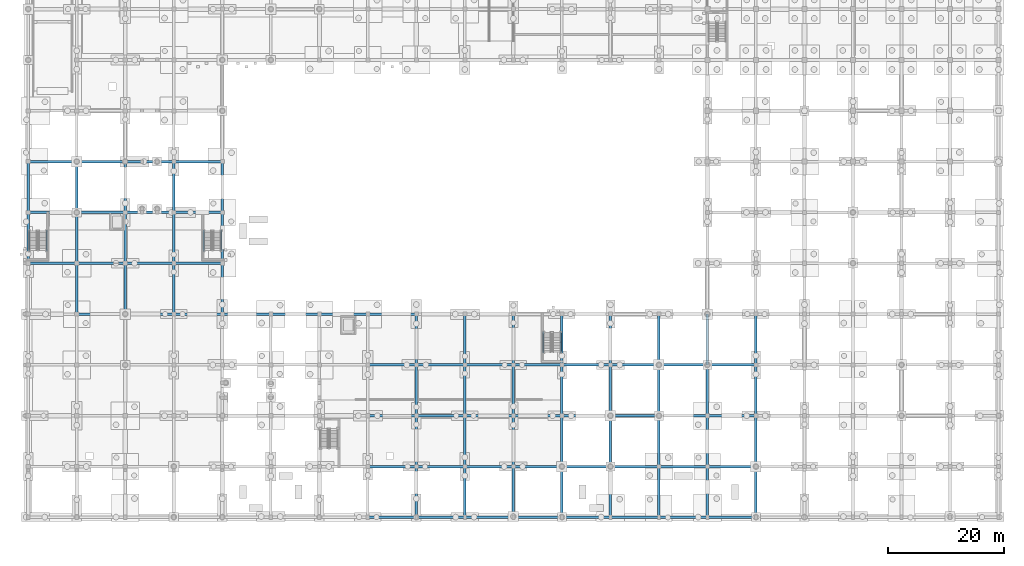
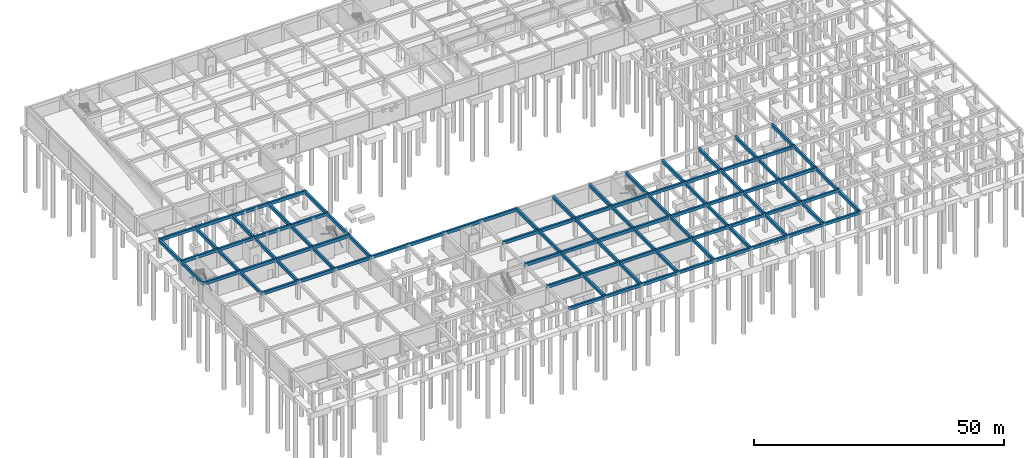
# One storey, part 15 of 41: 97 beams, 6 members.
"""IFC4 building model written with IfcOpenShell, lengths in metres."""

from ifc_helpers import new_model, si_unit, direction, frame, origin, origin_2d, place, context, subcontext, project, spatial, rectangle, hollow_rectangle, extrude, material, material_profile, profile_set, type_object, element, save


model = new_model("IFC4")

# Units and contexts
model_context = context("Model", 3, precision=1e-05, world=origin(), true_north=direction((0.0, 1.0)))
body_context = subcontext(model_context, "Body", "Model", "MODEL_VIEW")
ifc_project = project(units=[si_unit("LENGTHUNIT", "METRE"), si_unit("AREAUNIT", "SQUARE_METRE"), si_unit("VOLUMEUNIT", "CUBIC_METRE"), si_unit("PLANEANGLEUNIT", "RADIAN"), si_unit("MASSUNIT", "GRAM", prefix="KILO")], contexts=[model_context])

# Site, building, storey
site_placement = place(None, origin())
site = spatial("IfcSite", under=ifc_project, at=site_placement, CompositionType="ELEMENT")
building_placement = place(site_placement, origin())
building = spatial("IfcBuilding", under=site, at=building_placement, Name="Kemercrest Conservatory and Botanical Centre", CompositionType="ELEMENT")
storey_placement = place(building_placement, frame((0.0, 0.0, -4.5)))
storey = spatial("IfcBuildingStorey", under=building, at=storey_placement, Name="B1", CompositionType="ELEMENT", Elevation=-4.5)

# Beams
ifc_material_1 = material(Name="Concrete C40/50", Category="concrete")
ifc_material_profile_1 = material_profile(ifc_material_1, rectangle(XDim=0.449951171875, YDim=0.75, at=origin_2d()), Name="RC 450x750")
ifc_profile_set_1 = profile_set([ifc_material_profile_1], Name="Concrete C40/50")
beam_type = type_object("IfcBeamType", Name="BM-RC75", PredefinedType="BEAM", material=ifc_profile_set_1)
beam_1_placement = place(storey_placement, frame((66.800048828125, 8.0, 4.125), z_axis=(1.0, 0.0, 0.0), x_axis=(0.0, 1.0, 0.0)))
element("IfcBeam", 1, at=beam_1_placement, inside=storey, type_object=beam_type, Name="B1 girder 08-09 on A", PredefinedType="BEAM", context=body_context, shape_type="SweptSolid", body=[
    extrude(rectangle(XDim=0.449951171875, YDim=0.75, at=origin_2d()), origin(), (0.0, 0.0, 1.0), 8.39990234375),
])
beam_2_placement = place(storey_placement, frame((75.199951171875, 8.0, 4.125), z_axis=(1.0, 0.0, 0.0), x_axis=(0.0, 1.0, 0.0)))
element("IfcBeam", 2, at=beam_2_placement, inside=storey, type_object=beam_type, Name="B1 girder 09-10 on A", PredefinedType="BEAM", context=body_context, shape_type="SweptSolid", body=[
    extrude(rectangle(XDim=0.449951171875, YDim=0.75, at=origin_2d()), origin(), (0.0, 0.0, 1.0), 8.400146484375),
])
for number, where, z_axis, x_axis, name in (
    (3, (83.60009765625, 8.0, 4.125), (1.0, 0.0, 0.0), (0.0, 1.0, 0.0), "B1 girder 10-11 on A"),
    (4, (92.0, 8.0, 4.125), (1.0, 0.0, 0.0), (0.0, 1.0, 0.0), "B1 girder 11-12 on A"),
):
    element("IfcBeam", number, at=place(storey_placement, frame(where, z_axis=z_axis, x_axis=x_axis)), inside=storey, type_object=beam_type, Name=name, PredefinedType="BEAM", context=body_context, shape_type="SweptSolid", body=[
        extrude(rectangle(XDim=0.449951171875, YDim=0.75, at=origin_2d()), origin(), (0.0, 0.0, 1.0), 8.39990234375),
    ])
beam_3_placement = place(storey_placement, frame((100.39990234375, 8.0, 4.125), z_axis=(1.0, 0.0, 0.0), x_axis=(0.0, 1.0, 0.0)))
element("IfcBeam", 5, at=beam_3_placement, inside=storey, type_object=beam_type, Name="B1 girder 12-13 on A", PredefinedType="BEAM", context=body_context, shape_type="SweptSolid", body=[
    extrude(rectangle(XDim=0.449951171875, YDim=0.75, at=origin_2d()), origin(), (0.0, 0.0, 1.0), 8.400146484375),
])
beam_4_placement = place(storey_placement, frame((108.800048828125, 8.0, 4.125), z_axis=(1.0, 0.0, 0.0), x_axis=(0.0, 1.0, 0.0)))
element("IfcBeam", 6, at=beam_4_placement, inside=storey, type_object=beam_type, Name="B1 girder 13-14 on A", PredefinedType="BEAM", context=body_context, shape_type="SweptSolid", body=[
    extrude(rectangle(XDim=0.449951171875, YDim=0.75, at=origin_2d()), origin(), (0.0, 0.0, 1.0), 8.39990234375),
])
beam_5_placement = place(storey_placement, frame((117.199951171875, 8.0, 4.125), z_axis=(1.0, 0.0, 0.0), x_axis=(0.0, 1.0, 0.0)))
element("IfcBeam", 7, at=beam_5_placement, inside=storey, type_object=beam_type, Name="B1 girder 14-15 on A", PredefinedType="BEAM", context=body_context, shape_type="SweptSolid", body=[
    extrude(rectangle(XDim=0.449951171875, YDim=0.75, at=origin_2d()), origin(), (0.0, 0.0, 1.0), 8.400146484375),
])
for number, where, z_axis, x_axis, name in (
    (8, (125.60009765625, 8.0, 4.125), (1.0, 0.0, 0.0), (0.0, 1.0, 0.0), "B1 girder 15-16 on A"),
    (9, (66.800048828125, 16.800048828125, 4.125), (1.0, 0.0, 0.0), (0.0, 1.0, 0.0), "B1 girder 08-09 on B"),
):
    element("IfcBeam", number, at=place(storey_placement, frame(where, z_axis=z_axis, x_axis=x_axis)), inside=storey, type_object=beam_type, Name=name, PredefinedType="BEAM", context=body_context, shape_type="SweptSolid", body=[
        extrude(rectangle(XDim=0.449951171875, YDim=0.75, at=origin_2d()), origin(), (0.0, 0.0, 1.0), 8.39990234375),
    ])
beam_6_placement = place(storey_placement, frame((75.199951171875, 16.800048828125, 4.125), z_axis=(1.0, 0.0, 0.0), x_axis=(0.0, 1.0, 0.0)))
element("IfcBeam", 10, at=beam_6_placement, inside=storey, type_object=beam_type, Name="B1 girder 09-10 on B", PredefinedType="BEAM", context=body_context, shape_type="SweptSolid", body=[
    extrude(rectangle(XDim=0.449951171875, YDim=0.75, at=origin_2d()), origin(), (0.0, 0.0, 1.0), 8.400146484375),
])
for number, where, z_axis, x_axis, name in (
    (11, (83.60009765625, 16.800048828125, 4.125), (1.0, 0.0, 0.0), (0.0, 1.0, 0.0), "B1 girder 10-11 on B"),
    (12, (92.0, 16.800048828125, 4.125), (1.0, 0.0, 0.0), (0.0, 1.0, 0.0), "B1 girder 11-12 on B"),
):
    element("IfcBeam", number, at=place(storey_placement, frame(where, z_axis=z_axis, x_axis=x_axis)), inside=storey, type_object=beam_type, Name=name, PredefinedType="BEAM", context=body_context, shape_type="SweptSolid", body=[
        extrude(rectangle(XDim=0.449951171875, YDim=0.75, at=origin_2d()), origin(), (0.0, 0.0, 1.0), 8.39990234375),
    ])
beam_7_placement = place(storey_placement, frame((100.39990234375, 16.800048828125, 4.125), z_axis=(1.0, 0.0, 0.0), x_axis=(0.0, 1.0, 0.0)))
element("IfcBeam", 13, at=beam_7_placement, inside=storey, type_object=beam_type, Name="B1 girder 12-13 on B", PredefinedType="BEAM", context=body_context, shape_type="SweptSolid", body=[
    extrude(rectangle(XDim=0.449951171875, YDim=0.75, at=origin_2d()), origin(), (0.0, 0.0, 1.0), 8.400146484375),
])
beam_8_placement = place(storey_placement, frame((108.800048828125, 16.800048828125, 4.125), z_axis=(1.0, 0.0, 0.0), x_axis=(0.0, 1.0, 0.0)))
element("IfcBeam", 14, at=beam_8_placement, inside=storey, type_object=beam_type, Name="B1 girder 13-14 on B", PredefinedType="BEAM", context=body_context, shape_type="SweptSolid", body=[
    extrude(rectangle(XDim=0.449951171875, YDim=0.75, at=origin_2d()), origin(), (0.0, 0.0, 1.0), 8.39990234375),
])
beam_9_placement = place(storey_placement, frame((117.199951171875, 16.800048828125, 4.125), z_axis=(1.0, 0.0, 0.0), x_axis=(0.0, 1.0, 0.0)))
element("IfcBeam", 15, at=beam_9_placement, inside=storey, type_object=beam_type, Name="B1 girder 14-15 on B", PredefinedType="BEAM", context=body_context, shape_type="SweptSolid", body=[
    extrude(rectangle(XDim=0.449951171875, YDim=0.75, at=origin_2d()), origin(), (0.0, 0.0, 1.0), 8.400146484375),
])
for number, where, z_axis, x_axis, name in (
    (16, (125.60009765625, 16.800048828125, 4.125), (1.0, 0.0, 0.0), (0.0, 1.0, 0.0), "B1 girder 15-16 on B"),
    (17, (66.800048828125, 25.60009765625, 4.125), (1.0, 0.0, 0.0), (0.0, 1.0, 0.0), "B1 girder 08-09 on C"),
):
    element("IfcBeam", number, at=place(storey_placement, frame(where, z_axis=z_axis, x_axis=x_axis)), inside=storey, type_object=beam_type, Name=name, PredefinedType="BEAM", context=body_context, shape_type="SweptSolid", body=[
        extrude(rectangle(XDim=0.449951171875, YDim=0.75, at=origin_2d()), origin(), (0.0, 0.0, 1.0), 8.39990234375),
    ])
beam_10_placement = place(storey_placement, frame((75.199951171875, 25.60009765625, 4.125), z_axis=(1.0, 0.0, 0.0), x_axis=(0.0, 1.0, 0.0)))
element("IfcBeam", 18, at=beam_10_placement, inside=storey, type_object=beam_type, Name="B1 girder 09-10 on C", PredefinedType="BEAM", context=body_context, shape_type="SweptSolid", body=[
    extrude(rectangle(XDim=0.449951171875, YDim=0.75, at=origin_2d()), origin(), (0.0, 0.0, 1.0), 8.400146484375),
])
for number, where, z_axis, x_axis, name in (
    (19, (83.60009765625, 25.60009765625, 4.125), (1.0, 0.0, 0.0), (0.0, 1.0, 0.0), "B1 girder 10-11 on C"),
    (20, (92.0, 25.60009765625, 4.125), (1.0, 0.0, 0.0), (0.0, 1.0, 0.0), "B1 girder 11-12 on C"),
):
    element("IfcBeam", number, at=place(storey_placement, frame(where, z_axis=z_axis, x_axis=x_axis)), inside=storey, type_object=beam_type, Name=name, PredefinedType="BEAM", context=body_context, shape_type="SweptSolid", body=[
        extrude(rectangle(XDim=0.449951171875, YDim=0.75, at=origin_2d()), origin(), (0.0, 0.0, 1.0), 8.39990234375),
    ])
beam_11_placement = place(storey_placement, frame((100.39990234375, 25.60009765625, 4.125), z_axis=(1.0, 0.0, 0.0), x_axis=(0.0, 1.0, 0.0)))
element("IfcBeam", 21, at=beam_11_placement, inside=storey, type_object=beam_type, Name="B1 girder 12-13 on C", PredefinedType="BEAM", context=body_context, shape_type="SweptSolid", body=[
    extrude(rectangle(XDim=0.449951171875, YDim=0.75, at=origin_2d()), origin(), (0.0, 0.0, 1.0), 8.400146484375),
])
beam_12_placement = place(storey_placement, frame((108.800048828125, 25.60009765625, 4.125), z_axis=(1.0, 0.0, 0.0), x_axis=(0.0, 1.0, 0.0)))
element("IfcBeam", 22, at=beam_12_placement, inside=storey, type_object=beam_type, Name="B1 girder 13-14 on C", PredefinedType="BEAM", context=body_context, shape_type="SweptSolid", body=[
    extrude(rectangle(XDim=0.449951171875, YDim=0.75, at=origin_2d()), origin(), (0.0, 0.0, 1.0), 8.39990234375),
])
beam_13_placement = place(storey_placement, frame((117.199951171875, 25.60009765625, 4.125), z_axis=(1.0, 0.0, 0.0), x_axis=(0.0, 1.0, 0.0)))
element("IfcBeam", 23, at=beam_13_placement, inside=storey, type_object=beam_type, Name="B1 girder 14-15 on C", PredefinedType="BEAM", context=body_context, shape_type="SweptSolid", body=[
    extrude(rectangle(XDim=0.449951171875, YDim=0.75, at=origin_2d()), origin(), (0.0, 0.0, 1.0), 8.400146484375),
])
for number, where, z_axis, x_axis, name in (
    (24, (125.60009765625, 25.60009765625, 4.125), (1.0, 0.0, 0.0), (0.0, 1.0, 0.0), "B1 girder 15-16 on C"),
    (25, (66.800048828125, 34.39990234375, 4.125), (1.0, 0.0, 0.0), (0.0, 1.0, 0.0), "B1 girder 08-09 on D"),
):
    element("IfcBeam", number, at=place(storey_placement, frame(where, z_axis=z_axis, x_axis=x_axis)), inside=storey, type_object=beam_type, Name=name, PredefinedType="BEAM", context=body_context, shape_type="SweptSolid", body=[
        extrude(rectangle(XDim=0.449951171875, YDim=0.75, at=origin_2d()), origin(), (0.0, 0.0, 1.0), 8.39990234375),
    ])
beam_14_placement = place(storey_placement, frame((75.199951171875, 34.39990234375, 4.125), z_axis=(1.0, 0.0, 0.0), x_axis=(0.0, 1.0, 0.0)))
element("IfcBeam", 26, at=beam_14_placement, inside=storey, type_object=beam_type, Name="B1 girder 09-10 on D", PredefinedType="BEAM", context=body_context, shape_type="SweptSolid", body=[
    extrude(rectangle(XDim=0.449951171875, YDim=0.75, at=origin_2d()), origin(), (0.0, 0.0, 1.0), 8.400146484375),
])
for number, where, z_axis, x_axis, name in (
    (27, (83.60009765625, 34.39990234375, 4.125), (1.0, 0.0, 0.0), (0.0, 1.0, 0.0), "B1 girder 10-11 on D"),
    (28, (92.0, 34.39990234375, 4.125), (1.0, 0.0, 0.0), (0.0, 1.0, 0.0), "B1 girder 11-12 on D"),
):
    element("IfcBeam", number, at=place(storey_placement, frame(where, z_axis=z_axis, x_axis=x_axis)), inside=storey, type_object=beam_type, Name=name, PredefinedType="BEAM", context=body_context, shape_type="SweptSolid", body=[
        extrude(rectangle(XDim=0.449951171875, YDim=0.75, at=origin_2d()), origin(), (0.0, 0.0, 1.0), 8.39990234375),
    ])
beam_15_placement = place(storey_placement, frame((100.39990234375, 34.39990234375, 4.125), z_axis=(1.0, 0.0, 0.0), x_axis=(0.0, 1.0, 0.0)))
element("IfcBeam", 29, at=beam_15_placement, inside=storey, type_object=beam_type, Name="B1 girder 12-13 on D", PredefinedType="BEAM", context=body_context, shape_type="SweptSolid", body=[
    extrude(rectangle(XDim=0.449951171875, YDim=0.75, at=origin_2d()), origin(), (0.0, 0.0, 1.0), 8.400146484375),
])
beam_16_placement = place(storey_placement, frame((108.800048828125, 34.39990234375, 4.125), z_axis=(1.0, 0.0, 0.0), x_axis=(0.0, 1.0, 0.0)))
element("IfcBeam", 30, at=beam_16_placement, inside=storey, type_object=beam_type, Name="B1 girder 13-14 on D", PredefinedType="BEAM", context=body_context, shape_type="SweptSolid", body=[
    extrude(rectangle(XDim=0.449951171875, YDim=0.75, at=origin_2d()), origin(), (0.0, 0.0, 1.0), 8.39990234375),
])
beam_17_placement = place(storey_placement, frame((117.199951171875, 34.39990234375, 4.125), z_axis=(1.0, 0.0, 0.0), x_axis=(0.0, 1.0, 0.0)))
element("IfcBeam", 31, at=beam_17_placement, inside=storey, type_object=beam_type, Name="B1 girder 14-15 on D", PredefinedType="BEAM", context=body_context, shape_type="SweptSolid", body=[
    extrude(rectangle(XDim=0.449951171875, YDim=0.75, at=origin_2d()), origin(), (0.0, 0.0, 1.0), 8.400146484375),
])
beam_18_placement = place(storey_placement, frame((125.60009765625, 34.39990234375, 4.125), z_axis=(1.0, 0.0, 0.0), x_axis=(0.0, 1.0, 0.0)))
element("IfcBeam", 32, at=beam_18_placement, inside=storey, type_object=beam_type, Name="B1 girder 15-16 on D", PredefinedType="BEAM", context=body_context, shape_type="SweptSolid", body=[
    extrude(rectangle(XDim=0.449951171875, YDim=0.75, at=origin_2d()), origin(), (0.0, 0.0, 1.0), 8.39990234375),
])
beam_19_placement = place(storey_placement, frame((16.39990234375, 43.199951171875, 4.125), z_axis=(1.0, 0.0, 0.0), x_axis=(0.0, 1.0, 0.0)))
element("IfcBeam", 33, at=beam_19_placement, inside=storey, type_object=beam_type, Name="B1 girder 02-03 on E", PredefinedType="BEAM", context=body_context, shape_type="SweptSolid", body=[
    extrude(rectangle(XDim=0.449951171875, YDim=0.75, at=origin_2d()), origin(), (0.0, 0.0, 1.0), 8.400146484375),
])
beam_20_placement = place(storey_placement, frame((24.800048828125, 43.199951171875, 4.125), z_axis=(1.0, 0.0, 0.0), x_axis=(0.0, 1.0, 0.0)))
element("IfcBeam", 34, at=beam_20_placement, inside=storey, type_object=beam_type, Name="B1 girder 03-04 on E", PredefinedType="BEAM", context=body_context, shape_type="SweptSolid", body=[
    extrude(rectangle(XDim=0.449951171875, YDim=0.75, at=origin_2d()), origin(), (0.0, 0.0, 1.0), 8.39990234375),
])
beam_21_placement = place(storey_placement, frame((33.199951171875, 43.199951171875, 4.125), z_axis=(1.0, 0.0, 0.0), x_axis=(0.0, 1.0, 0.0)))
element("IfcBeam", 35, at=beam_21_placement, inside=storey, type_object=beam_type, Name="B1 girder 04-05 on E", PredefinedType="BEAM", context=body_context, shape_type="SweptSolid", body=[
    extrude(rectangle(XDim=0.449951171875, YDim=0.75, at=origin_2d()), origin(), (0.0, 0.0, 1.0), 8.400146484375),
])
for number, where, z_axis, x_axis, name in (
    (36, (41.60009765625, 43.199951171875, 4.125), (1.0, 0.0, 0.0), (0.0, 1.0, 0.0), "B1 girder 05-06 on E"),
    (37, (50.0, 43.199951171875, 4.125), (1.0, 0.0, 0.0), (0.0, 1.0, 0.0), "B1 girder 06-07 on E"),
):
    element("IfcBeam", number, at=place(storey_placement, frame(where, z_axis=z_axis, x_axis=x_axis)), inside=storey, type_object=beam_type, Name=name, PredefinedType="BEAM", context=body_context, shape_type="SweptSolid", body=[
        extrude(rectangle(XDim=0.449951171875, YDim=0.75, at=origin_2d()), origin(), (0.0, 0.0, 1.0), 8.39990234375),
    ])
beam_22_placement = place(storey_placement, frame((58.39990234375, 43.199951171875, 4.125), z_axis=(1.0, 0.0, 0.0), x_axis=(0.0, 1.0, 0.0)))
element("IfcBeam", 38, at=beam_22_placement, inside=storey, type_object=beam_type, Name="B1 girder 07-08 on E", PredefinedType="BEAM", context=body_context, shape_type="SweptSolid", body=[
    extrude(rectangle(XDim=0.449951171875, YDim=0.75, at=origin_2d()), origin(), (0.0, 0.0, 1.0), 8.400146484375),
])
for number, where, z_axis, x_axis, name in (
    (39, (66.800048828125, 43.199951171875, 4.125), (1.0, 0.0, 0.0), (0.0, 1.0, 0.0), "B1 girder 08-09 on E"),
    (40, (8.0, 52.0, 4.125), (1.0, 0.0, 0.0), (0.0, 1.0, 0.0), "B1 girder 01-02 on F"),
):
    element("IfcBeam", number, at=place(storey_placement, frame(where, z_axis=z_axis, x_axis=x_axis)), inside=storey, type_object=beam_type, Name=name, PredefinedType="BEAM", context=body_context, shape_type="SweptSolid", body=[
        extrude(rectangle(XDim=0.449951171875, YDim=0.75, at=origin_2d()), origin(), (0.0, 0.0, 1.0), 8.39990234375),
    ])
beam_23_placement = place(storey_placement, frame((16.39990234375, 52.0, 4.125), z_axis=(1.0, 0.0, 0.0), x_axis=(0.0, 1.0, 0.0)))
element("IfcBeam", 41, at=beam_23_placement, inside=storey, type_object=beam_type, Name="B1 girder 02-03 on F", PredefinedType="BEAM", context=body_context, shape_type="SweptSolid", body=[
    extrude(rectangle(XDim=0.449951171875, YDim=0.75, at=origin_2d()), origin(), (0.0, 0.0, 1.0), 8.400146484375),
])
beam_24_placement = place(storey_placement, frame((24.800048828125, 52.0, 4.125), z_axis=(1.0, 0.0, 0.0), x_axis=(0.0, 1.0, 0.0)))
element("IfcBeam", 42, at=beam_24_placement, inside=storey, type_object=beam_type, Name="B1 girder 03-04 on F", PredefinedType="BEAM", context=body_context, shape_type="SweptSolid", body=[
    extrude(rectangle(XDim=0.449951171875, YDim=0.75, at=origin_2d()), origin(), (0.0, 0.0, 1.0), 8.39990234375),
])
beam_25_placement = place(storey_placement, frame((33.199951171875, 52.0, 4.125), z_axis=(1.0, 0.0, 0.0), x_axis=(0.0, 1.0, 0.0)))
element("IfcBeam", 43, at=beam_25_placement, inside=storey, type_object=beam_type, Name="B1 girder 04-05 on F", PredefinedType="BEAM", context=body_context, shape_type="SweptSolid", body=[
    extrude(rectangle(XDim=0.449951171875, YDim=0.75, at=origin_2d()), origin(), (0.0, 0.0, 1.0), 8.400146484375),
])
beam_26_placement = place(storey_placement, frame((8.0, 60.800048828125, 4.125), z_axis=(1.0, 0.0, 0.0), x_axis=(0.0, 1.0, 0.0)))
element("IfcBeam", 44, at=beam_26_placement, inside=storey, type_object=beam_type, Name="B1 girder 01-02 on G", PredefinedType="BEAM", context=body_context, shape_type="SweptSolid", body=[
    extrude(rectangle(XDim=0.449951171875, YDim=0.75, at=origin_2d()), origin(), (0.0, 0.0, 1.0), 8.39990234375),
])
beam_27_placement = place(storey_placement, frame((16.39990234375, 60.800048828125, 4.125), z_axis=(1.0, 0.0, 0.0), x_axis=(0.0, 1.0, 0.0)))
element("IfcBeam", 45, at=beam_27_placement, inside=storey, type_object=beam_type, Name="B1 girder 02-03 on G", PredefinedType="BEAM", context=body_context, shape_type="SweptSolid", body=[
    extrude(rectangle(XDim=0.449951171875, YDim=0.75, at=origin_2d()), origin(), (0.0, 0.0, 1.0), 8.400146484375),
])
beam_28_placement = place(storey_placement, frame((24.800048828125, 60.800048828125, 4.125), z_axis=(1.0, 0.0, 0.0), x_axis=(0.0, 1.0, 0.0)))
element("IfcBeam", 46, at=beam_28_placement, inside=storey, type_object=beam_type, Name="B1 girder 03-04 on G", PredefinedType="BEAM", context=body_context, shape_type="SweptSolid", body=[
    extrude(rectangle(XDim=0.449951171875, YDim=0.75, at=origin_2d()), origin(), (0.0, 0.0, 1.0), 8.39990234375),
])
beam_29_placement = place(storey_placement, frame((33.199951171875, 60.800048828125, 4.125), z_axis=(1.0, 0.0, 0.0), x_axis=(0.0, 1.0, 0.0)))
element("IfcBeam", 47, at=beam_29_placement, inside=storey, type_object=beam_type, Name="B1 girder 04-05 on G", PredefinedType="BEAM", context=body_context, shape_type="SweptSolid", body=[
    extrude(rectangle(XDim=0.449951171875, YDim=0.75, at=origin_2d()), origin(), (0.0, 0.0, 1.0), 8.400146484375),
])
beam_30_placement = place(storey_placement, frame((8.0, 69.60009765625, 4.125), z_axis=(1.0, 0.0, 0.0), x_axis=(0.0, 1.0, 0.0)))
element("IfcBeam", 48, at=beam_30_placement, inside=storey, type_object=beam_type, Name="B1 girder 01-02 on H", PredefinedType="BEAM", context=body_context, shape_type="SweptSolid", body=[
    extrude(rectangle(XDim=0.449951171875, YDim=0.75, at=origin_2d()), origin(), (0.0, 0.0, 1.0), 8.39990234375),
])
beam_31_placement = place(storey_placement, frame((16.39990234375, 69.60009765625, 4.125), z_axis=(1.0, 0.0, 0.0), x_axis=(0.0, 1.0, 0.0)))
element("IfcBeam", 49, at=beam_31_placement, inside=storey, type_object=beam_type, Name="B1 girder 02-03 on H", PredefinedType="BEAM", context=body_context, shape_type="SweptSolid", body=[
    extrude(rectangle(XDim=0.449951171875, YDim=0.75, at=origin_2d()), origin(), (0.0, 0.0, 1.0), 8.400146484375),
])
beam_32_placement = place(storey_placement, frame((24.800048828125, 69.60009765625, 4.125), z_axis=(1.0, 0.0, 0.0), x_axis=(0.0, 1.0, 0.0)))
element("IfcBeam", 50, at=beam_32_placement, inside=storey, type_object=beam_type, Name="B1 girder 03-04 on H", PredefinedType="BEAM", context=body_context, shape_type="SweptSolid", body=[
    extrude(rectangle(XDim=0.449951171875, YDim=0.75, at=origin_2d()), origin(), (0.0, 0.0, 1.0), 8.39990234375),
])
beam_33_placement = place(storey_placement, frame((33.199951171875, 69.60009765625, 4.125), z_axis=(1.0, 0.0, 0.0), x_axis=(0.0, 1.0, 0.0)))
element("IfcBeam", 51, at=beam_33_placement, inside=storey, type_object=beam_type, Name="B1 girder 04-05 on H", PredefinedType="BEAM", context=body_context, shape_type="SweptSolid", body=[
    extrude(rectangle(XDim=0.449951171875, YDim=0.75, at=origin_2d()), origin(), (0.0, 0.0, 1.0), 8.400146484375),
])
for number, where, z_axis, x_axis, name in (
    (52, (8.0, 52.0, 4.125), (0.0, 1.0, 0.0), (-1.0, 0.0, 0.0), "B1 girder F-G on 01"),
    (53, (8.0, 60.800048828125, 4.125), (0.0, 1.0, 0.0), (-1.0, 0.0, 0.0), "B1 girder G-H on 01"),
    (54, (16.39990234375, 43.199951171875, 4.125), (0.0, 1.0, 0.0), (-1.0, 0.0, 0.0), "B1 girder E-F on 02"),
    (55, (16.39990234375, 52.0, 4.125), (0.0, 1.0, 0.0), (-1.0, 0.0, 0.0), "B1 girder F-G on 02"),
    (56, (16.39990234375, 60.800048828125, 4.125), (0.0, 1.0, 0.0), (-1.0, 0.0, 0.0), "B1 girder G-H on 02"),
    (57, (24.800048828125, 43.199951171875, 4.125), (0.0, 1.0, 0.0), (-1.0, 0.0, 0.0), "B1 girder E-F on 03"),
    (58, (24.800048828125, 52.0, 4.125), (0.0, 1.0, 0.0), (-1.0, 0.0, 0.0), "B1 girder F-G on 03"),
    (59, (24.800048828125, 60.800048828125, 4.125), (0.0, 1.0, 0.0), (-1.0, 0.0, 0.0), "B1 girder G-H on 03"),
    (60, (33.199951171875, 43.199951171875, 4.125), (0.0, 1.0, 0.0), (-1.0, 0.0, 0.0), "B1 girder E-F on 04"),
    (61, (33.199951171875, 52.0, 4.125), (0.0, 1.0, 0.0), (-1.0, 0.0, 0.0), "B1 girder F-G on 04"),
    (62, (33.199951171875, 60.800048828125, 4.125), (0.0, 1.0, 0.0), (-1.0, 0.0, 0.0), "B1 girder G-H on 04"),
    (63, (41.60009765625, 43.199951171875, 4.125), (0.0, 1.0, 0.0), (-1.0, 0.0, 0.0), "B1 girder E-F on 05"),
    (64, (41.60009765625, 52.0, 4.125), (0.0, 1.0, 0.0), (-1.0, 0.0, 0.0), "B1 girder F-G on 05"),
    (65, (41.60009765625, 60.800048828125, 4.125), (0.0, 1.0, 0.0), (-1.0, 0.0, 0.0), "B1 girder G-H on 05"),
    (66, (75.199951171875, 8.0, 4.125), (0.0, 1.0, 0.0), (-1.0, 0.0, 0.0), "B1 girder A-B on 09"),
    (67, (75.199951171875, 16.800048828125, 4.125), (0.0, 1.0, 0.0), (-1.0, 0.0, 0.0), "B1 girder B-C on 09"),
):
    element("IfcBeam", number, at=place(storey_placement, frame(where, z_axis=z_axis, x_axis=x_axis)), inside=storey, type_object=beam_type, Name=name, PredefinedType="BEAM", context=body_context, shape_type="SweptSolid", body=[
        extrude(rectangle(XDim=0.449951171875, YDim=0.75, at=origin_2d()), origin(), (0.0, 0.0, 1.0), 8.800048828125),
    ])
beam_34_placement = place(storey_placement, frame((75.199951171875, 25.60009765625, 4.125), z_axis=(0.0, 1.0, 0.0), x_axis=(-1.0, 0.0, 0.0)))
element("IfcBeam", 68, at=beam_34_placement, inside=storey, type_object=beam_type, Name="B1 girder C-D on 09", PredefinedType="BEAM", context=body_context, shape_type="SweptSolid", body=[
    extrude(rectangle(XDim=0.449951171875, YDim=0.75, at=origin_2d()), origin(), (0.0, 0.0, 1.0), 8.7998046875),
])
for number, where, z_axis, x_axis, name in (
    (69, (75.199951171875, 34.39990234375, 4.125), (0.0, 1.0, 0.0), (-1.0, 0.0, 0.0), "B1 girder D-E on 09"),
    (70, (83.60009765625, 8.0, 4.125), (0.0, 1.0, 0.0), (-1.0, 0.0, 0.0), "B1 girder A-B on 10"),
    (71, (83.60009765625, 16.800048828125, 4.125), (0.0, 1.0, 0.0), (-1.0, 0.0, 0.0), "B1 girder B-C on 10"),
):
    element("IfcBeam", number, at=place(storey_placement, frame(where, z_axis=z_axis, x_axis=x_axis)), inside=storey, type_object=beam_type, Name=name, PredefinedType="BEAM", context=body_context, shape_type="SweptSolid", body=[
        extrude(rectangle(XDim=0.449951171875, YDim=0.75, at=origin_2d()), origin(), (0.0, 0.0, 1.0), 8.800048828125),
    ])
beam_35_placement = place(storey_placement, frame((83.60009765625, 25.60009765625, 4.125), z_axis=(0.0, 1.0, 0.0), x_axis=(-1.0, 0.0, 0.0)))
element("IfcBeam", 72, at=beam_35_placement, inside=storey, type_object=beam_type, Name="B1 girder C-D on 10", PredefinedType="BEAM", context=body_context, shape_type="SweptSolid", body=[
    extrude(rectangle(XDim=0.449951171875, YDim=0.75, at=origin_2d()), origin(), (0.0, 0.0, 1.0), 8.7998046875),
])
for number, where, z_axis, x_axis, name in (
    (73, (83.60009765625, 34.39990234375, 4.125), (0.0, 1.0, 0.0), (-1.0, 0.0, 0.0), "B1 girder D-E on 10"),
    (74, (92.0, 8.0, 4.125), (0.0, 1.0, 0.0), (-1.0, 0.0, 0.0), "B1 girder A-B on 11"),
    (75, (92.0, 16.800048828125, 4.125), (0.0, 1.0, 0.0), (-1.0, 0.0, 0.0), "B1 girder B-C on 11"),
):
    element("IfcBeam", number, at=place(storey_placement, frame(where, z_axis=z_axis, x_axis=x_axis)), inside=storey, type_object=beam_type, Name=name, PredefinedType="BEAM", context=body_context, shape_type="SweptSolid", body=[
        extrude(rectangle(XDim=0.449951171875, YDim=0.75, at=origin_2d()), origin(), (0.0, 0.0, 1.0), 8.800048828125),
    ])
beam_36_placement = place(storey_placement, frame((92.0, 25.60009765625, 4.125), z_axis=(0.0, 1.0, 0.0), x_axis=(-1.0, 0.0, 0.0)))
element("IfcBeam", 76, at=beam_36_placement, inside=storey, type_object=beam_type, Name="B1 girder C-D on 11", PredefinedType="BEAM", context=body_context, shape_type="SweptSolid", body=[
    extrude(rectangle(XDim=0.449951171875, YDim=0.75, at=origin_2d()), origin(), (0.0, 0.0, 1.0), 8.7998046875),
])
for number, where, z_axis, x_axis, name in (
    (77, (92.0, 34.39990234375, 4.125), (0.0, 1.0, 0.0), (-1.0, 0.0, 0.0), "B1 girder D-E on 11"),
    (78, (100.39990234375, 8.0, 4.125), (0.0, 1.0, 0.0), (-1.0, 0.0, 0.0), "B1 girder A-B on 12"),
    (79, (100.39990234375, 16.800048828125, 4.125), (0.0, 1.0, 0.0), (-1.0, 0.0, 0.0), "B1 girder B-C on 12"),
):
    element("IfcBeam", number, at=place(storey_placement, frame(where, z_axis=z_axis, x_axis=x_axis)), inside=storey, type_object=beam_type, Name=name, PredefinedType="BEAM", context=body_context, shape_type="SweptSolid", body=[
        extrude(rectangle(XDim=0.449951171875, YDim=0.75, at=origin_2d()), origin(), (0.0, 0.0, 1.0), 8.800048828125),
    ])
beam_37_placement = place(storey_placement, frame((100.39990234375, 25.60009765625, 4.125), z_axis=(0.0, 1.0, 0.0), x_axis=(-1.0, 0.0, 0.0)))
element("IfcBeam", 80, at=beam_37_placement, inside=storey, type_object=beam_type, Name="B1 girder C-D on 12", PredefinedType="BEAM", context=body_context, shape_type="SweptSolid", body=[
    extrude(rectangle(XDim=0.449951171875, YDim=0.75, at=origin_2d()), origin(), (0.0, 0.0, 1.0), 8.7998046875),
])
for number, where, z_axis, x_axis, name in (
    (81, (100.39990234375, 34.39990234375, 4.125), (0.0, 1.0, 0.0), (-1.0, 0.0, 0.0), "B1 girder D-E on 12"),
    (82, (108.800048828125, 8.0, 4.125), (0.0, 1.0, 0.0), (-1.0, 0.0, 0.0), "B1 girder A-B on 13"),
    (83, (108.800048828125, 16.800048828125, 4.125), (0.0, 1.0, 0.0), (-1.0, 0.0, 0.0), "B1 girder B-C on 13"),
):
    element("IfcBeam", number, at=place(storey_placement, frame(where, z_axis=z_axis, x_axis=x_axis)), inside=storey, type_object=beam_type, Name=name, PredefinedType="BEAM", context=body_context, shape_type="SweptSolid", body=[
        extrude(rectangle(XDim=0.449951171875, YDim=0.75, at=origin_2d()), origin(), (0.0, 0.0, 1.0), 8.800048828125),
    ])
beam_38_placement = place(storey_placement, frame((108.800048828125, 25.60009765625, 4.125), z_axis=(0.0, 1.0, 0.0), x_axis=(-1.0, 0.0, 0.0)))
element("IfcBeam", 84, at=beam_38_placement, inside=storey, type_object=beam_type, Name="B1 girder C-D on 13", PredefinedType="BEAM", context=body_context, shape_type="SweptSolid", body=[
    extrude(rectangle(XDim=0.449951171875, YDim=0.75, at=origin_2d()), origin(), (0.0, 0.0, 1.0), 8.7998046875),
])
for number, where, z_axis, x_axis, name in (
    (85, (108.800048828125, 34.39990234375, 4.125), (0.0, 1.0, 0.0), (-1.0, 0.0, 0.0), "B1 girder D-E on 13"),
    (86, (117.199951171875, 8.0, 4.125), (0.0, 1.0, 0.0), (-1.0, 0.0, 0.0), "B1 girder A-B on 14"),
    (87, (117.199951171875, 16.800048828125, 4.125), (0.0, 1.0, 0.0), (-1.0, 0.0, 0.0), "B1 girder B-C on 14"),
):
    element("IfcBeam", number, at=place(storey_placement, frame(where, z_axis=z_axis, x_axis=x_axis)), inside=storey, type_object=beam_type, Name=name, PredefinedType="BEAM", context=body_context, shape_type="SweptSolid", body=[
        extrude(rectangle(XDim=0.449951171875, YDim=0.75, at=origin_2d()), origin(), (0.0, 0.0, 1.0), 8.800048828125),
    ])
beam_39_placement = place(storey_placement, frame((117.199951171875, 25.60009765625, 4.125), z_axis=(0.0, 1.0, 0.0), x_axis=(-1.0, 0.0, 0.0)))
element("IfcBeam", 88, at=beam_39_placement, inside=storey, type_object=beam_type, Name="B1 girder C-D on 14", PredefinedType="BEAM", context=body_context, shape_type="SweptSolid", body=[
    extrude(rectangle(XDim=0.449951171875, YDim=0.75, at=origin_2d()), origin(), (0.0, 0.0, 1.0), 8.7998046875),
])
for number, where, z_axis, x_axis, name in (
    (89, (117.199951171875, 34.39990234375, 4.125), (0.0, 1.0, 0.0), (-1.0, 0.0, 0.0), "B1 girder D-E on 14"),
    (90, (125.60009765625, 8.0, 4.125), (0.0, 1.0, 0.0), (-1.0, 0.0, 0.0), "B1 girder A-B on 15"),
    (91, (125.60009765625, 16.800048828125, 4.125), (0.0, 1.0, 0.0), (-1.0, 0.0, 0.0), "B1 girder B-C on 15"),
):
    element("IfcBeam", number, at=place(storey_placement, frame(where, z_axis=z_axis, x_axis=x_axis)), inside=storey, type_object=beam_type, Name=name, PredefinedType="BEAM", context=body_context, shape_type="SweptSolid", body=[
        extrude(rectangle(XDim=0.449951171875, YDim=0.75, at=origin_2d()), origin(), (0.0, 0.0, 1.0), 8.800048828125),
    ])
beam_40_placement = place(storey_placement, frame((125.60009765625, 25.60009765625, 4.125), z_axis=(0.0, 1.0, 0.0), x_axis=(-1.0, 0.0, 0.0)))
element("IfcBeam", 92, at=beam_40_placement, inside=storey, type_object=beam_type, Name="B1 girder C-D on 15", PredefinedType="BEAM", context=body_context, shape_type="SweptSolid", body=[
    extrude(rectangle(XDim=0.449951171875, YDim=0.75, at=origin_2d()), origin(), (0.0, 0.0, 1.0), 8.7998046875),
])
for number, where, z_axis, x_axis, name in (
    (93, (125.60009765625, 34.39990234375, 4.125), (0.0, 1.0, 0.0), (-1.0, 0.0, 0.0), "B1 girder D-E on 15"),
    (94, (134.0, 8.0, 4.125), (0.0, 1.0, 0.0), (-1.0, 0.0, 0.0), "B1 girder A-B on 16"),
    (95, (134.0, 16.800048828125, 4.125), (0.0, 1.0, 0.0), (-1.0, 0.0, 0.0), "B1 girder B-C on 16"),
):
    element("IfcBeam", number, at=place(storey_placement, frame(where, z_axis=z_axis, x_axis=x_axis)), inside=storey, type_object=beam_type, Name=name, PredefinedType="BEAM", context=body_context, shape_type="SweptSolid", body=[
        extrude(rectangle(XDim=0.449951171875, YDim=0.75, at=origin_2d()), origin(), (0.0, 0.0, 1.0), 8.800048828125),
    ])
beam_41_placement = place(storey_placement, frame((134.0, 25.60009765625, 4.125), z_axis=(0.0, 1.0, 0.0), x_axis=(-1.0, 0.0, 0.0)))
element("IfcBeam", 96, at=beam_41_placement, inside=storey, type_object=beam_type, Name="B1 girder C-D on 16", PredefinedType="BEAM", context=body_context, shape_type="SweptSolid", body=[
    extrude(rectangle(XDim=0.449951171875, YDim=0.75, at=origin_2d()), origin(), (0.0, 0.0, 1.0), 8.7998046875),
])
beam_42_placement = place(storey_placement, frame((134.0, 34.39990234375, 4.125), z_axis=(0.0, 1.0, 0.0), x_axis=(-1.0, 0.0, 0.0)))
element("IfcBeam", 97, at=beam_42_placement, inside=storey, type_object=beam_type, Name="B1 girder D-E on 16", PredefinedType="BEAM", context=body_context, shape_type="SweptSolid", body=[
    extrude(rectangle(XDim=0.449951171875, YDim=0.75, at=origin_2d()), origin(), (0.0, 0.0, 1.0), 8.800048828125),
])

# Members
ifc_material_2 = material(Name="Steel CSA G40.21 350W", Category="steel")
ifc_material_profile_2 = material_profile(ifc_material_2, hollow_rectangle(XDim=0.15234375, YDim=0.25390625, WallThickness=0.009521484375, InnerFilletRadius=0.009521484375, OuterFilletRadius=0.01904296875, at=origin_2d()), Name="HSS 254x152x9.5")
ifc_profile_set_2 = profile_set([ifc_material_profile_2], Name="Steel CSA G40.21 350W")
member_type_1 = type_object("IfcMemberType", Name="SR-STR254", PredefinedType="STRINGER", material=ifc_profile_set_2)
for number, where, z_axis, x_axis, name in (
    (98, (100.2099609375, 36.56005859375, -0.10009765625), (0.0, 0.844750210241, 0.535160800412), (-1.0, 0.0, 0.0), "Stair ST-V2B steel stringer #15"),
    (99, (97.18994140625, 36.56005859375, 4.3798828125), (0.0, 0.844750210241, -0.535160800412), (-1.0, 0.0, 0.0), "Stair ST-V2B steel stringer #16"),
):
    element("IfcMember", number, at=place(storey_placement, frame(where, z_axis=z_axis, x_axis=x_axis)), inside=storey, type_object=member_type_1, Name=name, PredefinedType="STRINGER", context=body_context, shape_type="SweptSolid", body=[
        extrude(hollow_rectangle(XDim=0.15234375, YDim=0.25390625, WallThickness=0.009521484375, InnerFilletRadius=0.009521484375, OuterFilletRadius=0.01904296875, at=origin_2d()), origin(), (0.0, 0.0, 1.0), 4.1669921875),
    ])
ifc_material_profile_3 = material_profile(ifc_material_2, hollow_rectangle(XDim=0.203125, YDim=0.3046875, WallThickness=0.0126953125, InnerFilletRadius=0.0126953125, OuterFilletRadius=0.02490234375, at=origin_2d()), Name="HSS 305x203x12.7")
ifc_profile_set_3 = profile_set([ifc_material_profile_3], Name="Steel CSA G40.21 350W")
member_type_2 = type_object("IfcMemberType", Name="SR-STR305", PredefinedType="STRINGER", material=ifc_profile_set_3)
for number, where, z_axis, x_axis, name in (
    (100, (11.2099609375, 54.159912109375, -0.10009765625), (0.0, 0.844750210241, 0.535160800412), (-1.0, 0.0, 0.0), "Stair ST-V1A steel stringer #1"),
    (101, (8.18994140625, 54.159912109375, 4.3798828125), (0.0, 0.844750210241, -0.535160800412), (-1.0, 0.0, 0.0), "Stair ST-V1A steel stringer #2"),
    (102, (41.409912109375, 54.159912109375, -0.10009765625), (0.0, 0.844750210241, 0.535160800412), (-1.0, 0.0, 0.0), "Stair ST-V1B steel stringer #5"),
    (103, (38.389892578125, 54.159912109375, 4.3798828125), (0.0, 0.844750210241, -0.535160800412), (-1.0, 0.0, 0.0), "Stair ST-V1B steel stringer #6"),
):
    element("IfcMember", number, at=place(storey_placement, frame(where, z_axis=z_axis, x_axis=x_axis)), inside=storey, type_object=member_type_2, Name=name, PredefinedType="STRINGER", context=body_context, shape_type="SweptSolid", body=[
        extrude(hollow_rectangle(XDim=0.203125, YDim=0.3046875, WallThickness=0.0126953125, InnerFilletRadius=0.0126953125, OuterFilletRadius=0.02490234375, at=origin_2d()), origin(), (0.0, 0.0, 1.0), 4.1669921875),
    ])

save(model, "model.ifc")
